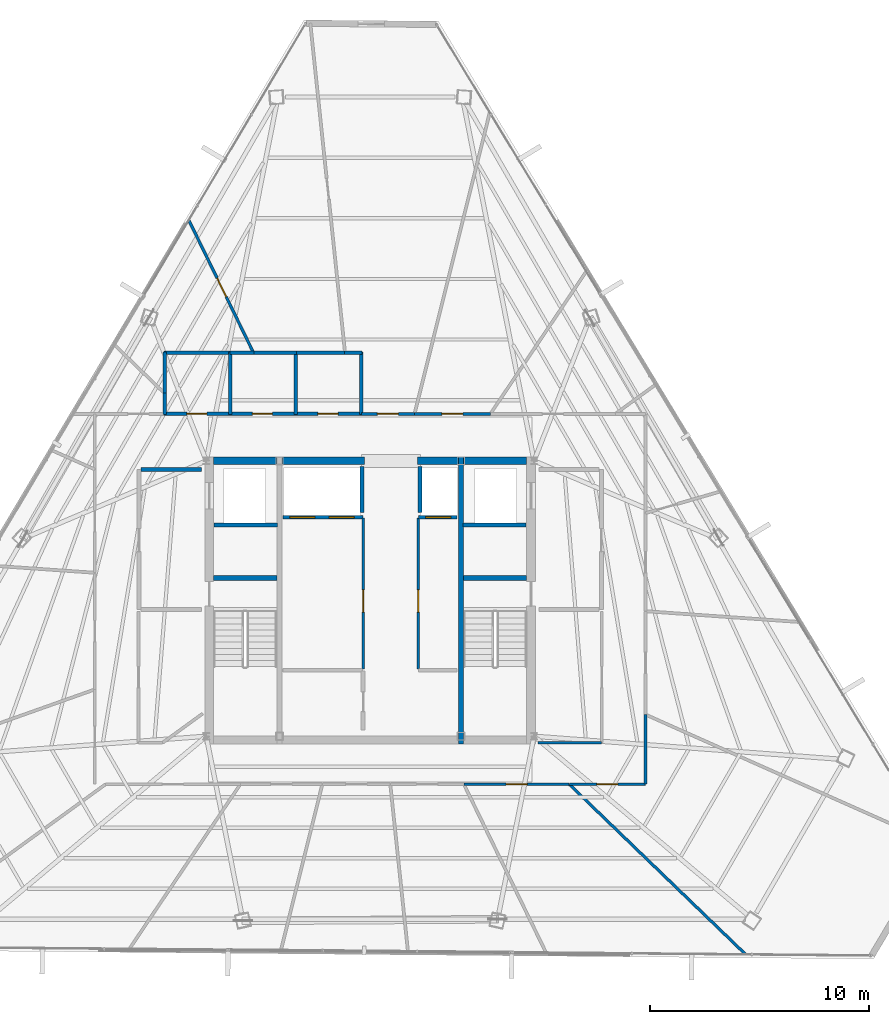
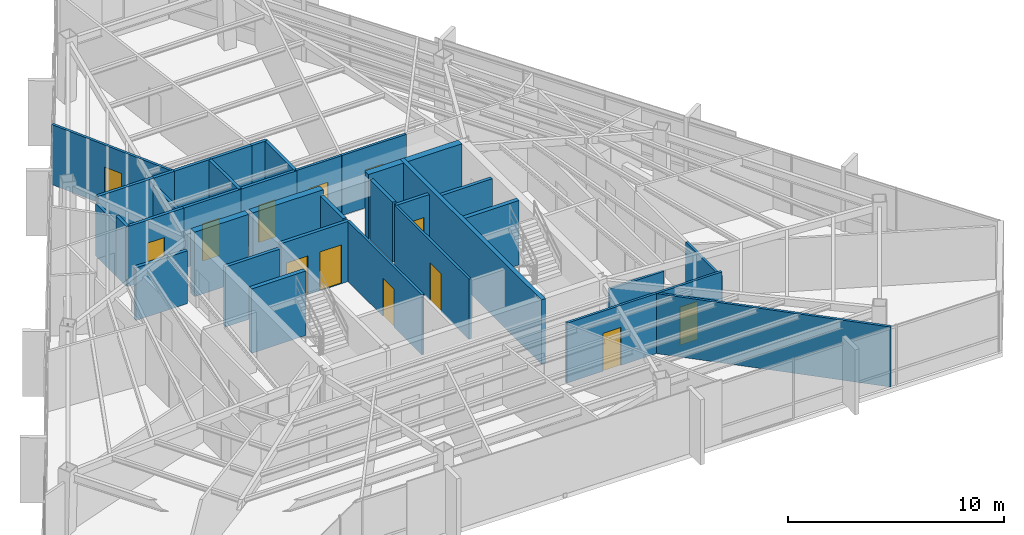
# One storey, part 42 of 46: 37 walls, 13 doors, 13 openings.
"""IFC4 building model written with IfcOpenShell, lengths in metres."""

from ifc_helpers import new_model, si_unit, direction, frame, frame_2d, origin, place, context, subcontext, project, spatial, rectangle, extrude, material, layer, layer_set, type_object, element, fill, save


model = new_model("IFC4")

# Units and contexts
model_context = context("Model", 3, precision=1e-05, world=origin(), true_north=direction((0.0, 1.0)))
body_context = subcontext(model_context, "Body", "Model", "MODEL_VIEW")
ifc_project = project(units=[si_unit("LENGTHUNIT", "METRE"), si_unit("AREAUNIT", "SQUARE_METRE"), si_unit("VOLUMEUNIT", "CUBIC_METRE"), si_unit("PLANEANGLEUNIT", "RADIAN"), si_unit("MASSUNIT", "GRAM", prefix="KILO")], contexts=[model_context])

# Site, building, storey
site_placement = place(None, origin())
site = spatial("IfcSite", under=ifc_project, at=site_placement, CompositionType="ELEMENT")
building_placement = place(site_placement, origin())
building = spatial("IfcBuilding", under=site, at=building_placement, Name="Caelisora Broadcast Tower", CompositionType="ELEMENT")
storey_placement = place(building_placement, frame((0.0, 0.0, 237.14990234375)))
storey = spatial("IfcBuildingStorey", under=building, at=storey_placement, Name="L62", CompositionType="ELEMENT", Elevation=237.14990234375)

# Walls
ifc_material_1 = material(Name="Concrete 40 MPa (AS 3600 N40)", Category="concrete")
ifc_layer_1 = layer(ifc_material_1, 0.35009765625, Name="Concrete 40 MPa (AS 3600 N40)")
ifc_layer_set_1 = layer_set([ifc_layer_1], Name="Concrete 40 MPa (AS 3600 N40)")
wall_type_1 = type_object("IfcWallType", Name="CW6", PredefinedType="SHEAR", material=ifc_layer_set_1)
wall_1_placement = place(storey_placement, frame((30.840087890625, 30.0, 0.0), z_axis=(0.0, 0.0, 1.0), x_axis=(1.0, 0.0, 0.0)))
element("IfcWall", 1, at=wall_1_placement, inside=storey, type_object=wall_type_1, Name="L62 core shear wall CW6", PredefinedType="SHEAR", context=body_context, shape_type="SweptSolid", body=[
    extrude(rectangle(XDim=2.89990234375, YDim=0.35009765625, at=frame_2d((1.449951171875, 0.0))), origin(), (0.0, 0.0, 1.0), 3.650146484375),
])
wall_2_placement = place(storey_placement, frame((33.9599609375, 30.0, 0.0), z_axis=(0.0, 0.0, 1.0), x_axis=(1.0, 0.0, 0.0)))
element("IfcWall", 2, at=wall_2_placement, inside=storey, type_object=wall_type_1, Name="L62 core shear wall CW6", PredefinedType="SHEAR", context=body_context, shape_type="SweptSolid", body=[
    extrude(rectangle(XDim=3.780029296875, YDim=0.35009765625, at=frame_2d((1.89013671875, 0.0))), origin(), (0.0, 0.0, 1.0), 3.650146484375),
])
wall_3_placement = place(storey_placement, frame((40.159912109375, 30.0, 0.0), z_axis=(0.0, 0.0, 1.0), x_axis=(1.0, 0.0, 0.0)))
element("IfcWall", 3, at=wall_3_placement, inside=storey, type_object=wall_type_1, Name="L62 core shear wall CW6", PredefinedType="SHEAR", context=body_context, shape_type="SweptSolid", body=[
    extrude(rectangle(XDim=1.880126953125, YDim=0.35009765625, at=frame_2d((0.93994140625, 0.0))), origin(), (0.0, 0.0, 1.0), 3.650146484375),
])
wall_4_placement = place(storey_placement, frame((42.260009765625, 30.0, 0.0), z_axis=(0.0, 0.0, 1.0), x_axis=(1.0, 0.0, 0.0)))
element("IfcWall", 4, at=wall_4_placement, inside=storey, type_object=wall_type_1, Name="L62 core shear wall CW6", PredefinedType="SHEAR", context=body_context, shape_type="SweptSolid", body=[
    extrude(rectangle(XDim=2.89990234375, YDim=0.35009765625, at=frame_2d((1.449951171875, 0.0))), origin(), (0.0, 0.0, 1.0), 3.650146484375),
])
ifc_material_2 = material(Name="Concrete 50 MPa (AS 3600 S50)", Category="concrete")
ifc_layer_2 = layer(ifc_material_2, 0.219970703125, Name="Concrete 50 MPa (AS 3600 S50)")
ifc_layer_set_2 = layer_set([ifc_layer_2], Name="Concrete 50 MPa (AS 3600 S50)")
wall_type_2 = type_object("IfcWallType", Name="CW7", PredefinedType="SHEAR", material=ifc_layer_set_2)
wall_5_placement = place(storey_placement, frame((42.14990234375, 17.050048828125, 0.0), z_axis=(0.0, 0.0, 1.0), x_axis=(0.0, 1.0, 0.0)))
element("IfcWall", 5, at=wall_5_placement, inside=storey, type_object=wall_type_2, Name="L62 core shear wall CW7", PredefinedType="SHEAR", context=body_context, shape_type="SweptSolid", body=[
    extrude(rectangle(XDim=13.125, YDim=0.219970703125, at=frame_2d((6.5625, 0.0))), origin(), (0.0, 0.0, 1.0), 3.650146484375),
])
for number, where, z_axis, x_axis, name in (
    (6, (30.840087890625, 24.639892578125, 0.0), (0.0, 0.0, 1.0), (1.0, 0.0, 0.0), "L62 core shear wall CW7"),
    (7, (42.260009765625, 24.639892578125, 0.0), (0.0, 0.0, 1.0), (1.0, 0.0, 0.0), "L62 core shear wall CW7"),
):
    element("IfcWall", number, at=place(storey_placement, frame(where, z_axis=z_axis, x_axis=x_axis)), inside=storey, type_object=wall_type_2, Name=name, PredefinedType="SHEAR", context=body_context, shape_type="SweptSolid", body=[
        extrude(rectangle(XDim=2.89990234375, YDim=0.219970703125, at=frame_2d((1.449951171875, 0.0))), origin(), (0.0, 0.0, 1.0), 3.650146484375),
    ])

# Wall, openings, doors
ifc_material_3 = material(Name="Fire-Rated Gypsum Shaft and Compartment Wall", Category="gypsum")
ifc_layer_3 = layer(ifc_material_3, 0.179931640625, Name="Fire-Rated Gypsum Shaft and Compartment Wall")
ifc_layer_set_3 = layer_set([ifc_layer_3], Name="Fire-Rated Gypsum Shaft and Compartment Wall")
wall_type_3 = type_object("IfcWallType", Name="PW2", PredefinedType="PARTITIONING", material=ifc_layer_set_3)
wall_6_placement = place(storey_placement, frame((34.02001953125, 27.419921875, 0.0), z_axis=(0.0, 0.0, 1.0), x_axis=(1.0, 0.0, 0.0)))
wall_6 = element("IfcWall", 8, at=wall_6_placement, inside=storey, type_object=wall_type_3, Name="L62 fire compartment wall PW2", PredefinedType="PARTITIONING", context=body_context, shape_type="SweptSolid", body=[
    extrude(rectangle(XDim=3.659912109375, YDim=0.179931640625, at=frame_2d((1.830078125, 0.0))), origin(), (0.0, 0.0, 1.0), 3.400146484375),
])
opening_1_placement = place(wall_6_placement, frame((0.300048828125, 0.0, 0.0)))
opening_1 = element("IfcOpeningElement", 9, at=opening_1_placement, cuts=wall_6, Name="Opening LD02", PredefinedType="OPENING", context=body_context, shape_type="SweptSolid", body=[
    extrude(rectangle(XDim=1.14990234375, YDim=2.199951171875, at=frame_2d((0.574951171875, 1.10009765625))), frame((0.0, 0.10205078125, 0.0), z_axis=(0.0, -1.0, 0.0), x_axis=(1.0, 0.0, 0.0)), (0.0, 0.0, 1.0), 0.203857421875),
])
opening_2_placement = place(wall_6_placement, frame((2.10009765625, 0.0, 0.0)))
opening_2 = element("IfcOpeningElement", 10, at=opening_2_placement, cuts=wall_6, Name="Opening LD02", PredefinedType="OPENING", context=body_context, shape_type="SweptSolid", body=[
    extrude(rectangle(XDim=1.14990234375, YDim=2.199951171875, at=frame_2d((0.574951171875, 1.10009765625))), frame((0.0, 0.10205078125, 0.0), z_axis=(0.0, -1.0, 0.0), x_axis=(1.0, 0.0, 0.0)), (0.0, 0.0, 1.0), 0.203857421875),
])
ifc_material_4 = material(Name="High-Speed Express Lift Sliding Landing Door", Category="steel")
door_type_1 = type_object("IfcDoorType", Name="LD02", OperationType="NOTDEFINED", PredefinedType="DOOR", material=ifc_material_4)
door_1_placement = place(opening_1_placement, origin())
door_1 = element("IfcDoor", 11, at=door_1_placement, inside=storey, type_object=door_type_1, Name="L62 door LD02 (L62-LD-PLH1)", OperationType="SLIDING_TO_RIGHT", OverallHeight=2.199951171875, OverallWidth=1.14990234375, PredefinedType="DOOR", context=body_context, shape_type="SweptSolid", body=[
    extrude(rectangle(XDim=1.14990234375, YDim=2.199951171875, at=frame_2d((0.574951171875, 1.10009765625))), frame((0.0, 0.02490234375, 0.0), z_axis=(0.0, -1.0, 0.0), x_axis=(1.0, 0.0, 0.0)), (0.0, 0.0, 1.0), 0.050048828125),
])
fill(opening_1, door_1)
door_2_placement = place(opening_2_placement, origin())
door_2 = element("IfcDoor", 12, at=door_2_placement, inside=storey, type_object=door_type_1, Name="L62 door LD02 (L62-LD-PLH2)", OperationType="SLIDING_TO_LEFT", OverallHeight=2.199951171875, OverallWidth=1.14990234375, PredefinedType="DOOR", context=body_context, shape_type="SweptSolid", body=[
    extrude(rectangle(XDim=1.14990234375, YDim=2.199951171875, at=frame_2d((0.574951171875, 1.10009765625))), frame((0.0, 0.02490234375, 0.0), z_axis=(0.0, -1.0, 0.0), x_axis=(1.0, 0.0, 0.0)), (0.0, 0.0, 1.0), 0.050048828125),
])
fill(opening_2, door_2)

# Wall, opening, door
wall_7_placement = place(storey_placement, frame((40.219970703125, 27.419921875, 0.0), z_axis=(0.0, 0.0, 1.0), x_axis=(1.0, 0.0, 0.0)))
wall_7 = element("IfcWall", 13, at=wall_7_placement, inside=storey, type_object=wall_type_3, Name="L62 fire compartment wall PW2", PredefinedType="PARTITIONING", context=body_context, shape_type="SweptSolid", body=[
    extrude(rectangle(XDim=1.760009765625, YDim=0.179931640625, at=frame_2d((0.8798828125, 0.0))), origin(), (0.0, 0.0, 1.0), 3.400146484375),
])
opening_3_placement = place(wall_7_placement, frame((0.320068359375, 0.0, 0.0)))
opening_3 = element("IfcOpeningElement", 14, at=opening_3_placement, cuts=wall_7, Name="Opening LD02", PredefinedType="OPENING", context=body_context, shape_type="SweptSolid", body=[
    extrude(rectangle(XDim=1.14990234375, YDim=2.199951171875, at=frame_2d((0.574951171875, 1.10009765625))), frame((0.0, 0.10205078125, 0.0), z_axis=(0.0, -1.0, 0.0), x_axis=(1.0, 0.0, 0.0)), (0.0, 0.0, 1.0), 0.203857421875),
])
door_3_placement = place(opening_3_placement, origin())
door_3 = element("IfcDoor", 15, at=door_3_placement, inside=storey, type_object=door_type_1, Name="L62 door LD02 (L62-LD-PLH3)", OperationType="SLIDING_TO_RIGHT", OverallHeight=2.199951171875, OverallWidth=1.14990234375, PredefinedType="DOOR", context=body_context, shape_type="SweptSolid", body=[
    extrude(rectangle(XDim=1.14990234375, YDim=2.199951171875, at=frame_2d((0.574951171875, 1.10009765625))), frame((0.0, 0.02490234375, 0.0), z_axis=(0.0, -1.0, 0.0), x_axis=(1.0, 0.0, 0.0)), (0.0, 0.0, 1.0), 0.050048828125),
])
fill(opening_3, door_3)

# Walls
for number, where, z_axis, x_axis, name in (
    (16, (37.6201171875, 27.639892578125, 0.0), (0.0, 0.0, 1.0), (0.0, 1.0, 0.0), "L62 fire compartment wall PW2"),
    (17, (40.280029296875, 27.639892578125, 0.0), (0.0, 0.0, 1.0), (0.0, 1.0, 0.0), "L62 fire compartment wall PW2"),
):
    element("IfcWall", number, at=place(storey_placement, frame(where, z_axis=z_axis, x_axis=x_axis)), inside=storey, type_object=wall_type_3, Name=name, PredefinedType="PARTITIONING", context=body_context, shape_type="SweptSolid", body=[
        extrude(rectangle(XDim=2.110107421875, YDim=0.179931640625, at=frame_2d((1.05517578125, 0.0))), origin(), (0.0, 0.0, 1.0), 3.400146484375),
    ])
wall_8_placement = place(storey_placement, frame((27.52001953125, 29.60009765625, 0.0), z_axis=(0.0, 0.0, 1.0), x_axis=(1.0, 0.0, 0.0)))
element("IfcWall", 18, at=wall_8_placement, inside=storey, type_object=wall_type_3, Name="L62 fire compartment wall PW2", PredefinedType="PARTITIONING", context=body_context, shape_type="SweptSolid", body=[
    extrude(rectangle(XDim=2.760009765625, YDim=0.179931640625, at=frame_2d((1.3798828125, 0.0))), origin(), (0.0, 0.0, 1.0), 2.985107421875),
])
for number, where, z_axis, x_axis, name in (
    (19, (30.860107421875, 27.070068359375, 0.0), (0.0, 0.0, 1.0), (1.0, 0.0, 0.0), "L62 fire compartment wall PW2"),
    (20, (42.239990234375, 27.070068359375, 0.0), (0.0, 0.0, 1.0), (1.0, 0.0, 0.0), "L62 fire compartment wall PW2"),
):
    element("IfcWall", number, at=place(storey_placement, frame(where, z_axis=z_axis, x_axis=x_axis)), inside=storey, type_object=wall_type_3, Name=name, PredefinedType="PARTITIONING", context=body_context, shape_type="SweptSolid", body=[
        extrude(rectangle(XDim=2.89990234375, YDim=0.179931640625, at=frame_2d((1.449951171875, 0.0))), origin(), (0.0, 0.0, 1.0), 3.400146484375),
    ])

# Wall, opening, door
ifc_material_5 = material(Name="Acoustic Steel-Stud Plasterboard Partition", Category="gypsum")
ifc_layer_4 = layer(ifc_material_5, 0.1298828125, Name="Acoustic Steel-Stud Plasterboard Partition")
ifc_layer_set_4 = layer_set([ifc_layer_4], Name="Acoustic Steel-Stud Plasterboard Partition")
wall_type_4 = type_object("IfcWallType", Name="PW3", PredefinedType="PARTITIONING", material=ifc_layer_set_4)
wall_9_placement = place(storey_placement, frame((37.679931640625, 20.47998046875, 0.0), z_axis=(0.0, 0.0, 1.0), x_axis=(0.0, 1.0, 0.0)))
wall_9 = element("IfcWall", 21, at=wall_9_placement, inside=storey, type_object=wall_type_4, Name="L62 internal partition PW3", PredefinedType="PARTITIONING", context=body_context, shape_type="SweptSolid", body=[
    extrude(rectangle(XDim=6.89990234375, YDim=0.1298828125, at=frame_2d((3.449951171875, 0.0))), origin(), (0.0, 0.0, 1.0), 3.400146484375),
])
opening_4_placement = place(wall_9_placement, frame((2.60009765625, 0.0, 0.0)))
opening_4 = element("IfcOpeningElement", 22, at=opening_4_placement, cuts=wall_9, Name="Opening D02", PredefinedType="OPENING", context=body_context, shape_type="SweptSolid", body=[
    extrude(rectangle(XDim=1.02001953125, YDim=2.14990234375, at=frame_2d((0.510009765625, 1.074951171875))), frame((0.0, 0.076904296875, 0.0), z_axis=(0.0, -1.0, 0.0), x_axis=(1.0, 0.0, 0.0)), (0.0, 0.0, 1.0), 0.15380859375),
])
ifc_material_6 = material(Name="Solid-Core Timber Archive Suite Door", Category="wood")
door_type_2 = type_object("IfcDoorType", Name="D02", OperationType="NOTDEFINED", PredefinedType="DOOR", material=ifc_material_6)
door_4_placement = place(opening_4_placement, origin())
door_4 = element("IfcDoor", 23, at=door_4_placement, inside=storey, type_object=door_type_2, Name="L62 door D02 (L62-DR-P11D1)", OperationType="SINGLE_SWING_RIGHT", OverallHeight=2.14990234375, OverallWidth=1.02001953125, PredefinedType="DOOR", context=body_context, shape_type="SweptSolid", body=[
    extrude(rectangle(XDim=1.02001953125, YDim=2.14990234375, at=frame_2d((0.510009765625, 1.074951171875))), frame((0.0, 0.02490234375, 0.0), z_axis=(0.0, -1.0, 0.0), x_axis=(1.0, 0.0, 0.0)), (0.0, 0.0, 1.0), 0.050048828125),
])
fill(opening_4, door_4)

wall_10_placement = place(storey_placement, frame((40.199951171875, 20.47998046875, 0.0), z_axis=(0.0, 0.0, 1.0), x_axis=(0.0, 1.0, 0.0)))
wall_10 = element("IfcWall", 24, at=wall_10_placement, inside=storey, type_object=wall_type_4, Name="L62 internal partition PW3", PredefinedType="PARTITIONING", context=body_context, shape_type="SweptSolid", body=[
    extrude(rectangle(XDim=6.89990234375, YDim=0.1298828125, at=frame_2d((3.449951171875, 0.0))), origin(), (0.0, 0.0, 1.0), 3.400146484375),
])
opening_5_placement = place(wall_10_placement, frame((2.60009765625, 0.0, 0.0)))
opening_5 = element("IfcOpeningElement", 25, at=opening_5_placement, cuts=wall_10, Name="Opening D02", PredefinedType="OPENING", context=body_context, shape_type="SweptSolid", body=[
    extrude(rectangle(XDim=1.02001953125, YDim=2.14990234375, at=frame_2d((0.510009765625, 1.074951171875))), frame((0.0, 0.076904296875, 0.0), z_axis=(0.0, -1.0, 0.0), x_axis=(1.0, 0.0, 0.0)), (0.0, 0.0, 1.0), 0.15380859375),
])
door_5_placement = place(opening_5_placement, origin())
door_5 = element("IfcDoor", 26, at=door_5_placement, inside=storey, type_object=door_type_2, Name="L62 door D02 (L62-DR-P12D1)", OperationType="SINGLE_SWING_LEFT", OverallHeight=2.14990234375, OverallWidth=1.02001953125, PredefinedType="DOOR", context=body_context, shape_type="SweptSolid", body=[
    extrude(rectangle(XDim=1.02001953125, YDim=2.14990234375, at=frame_2d((0.510009765625, 1.074951171875))), frame((0.0, 0.02490234375, 0.0), z_axis=(0.0, -1.0, 0.0), x_axis=(1.0, 0.0, 0.0)), (0.0, 0.0, 1.0), 0.050048828125),
])
fill(opening_5, door_5)

# Wall
wall_11_placement = place(storey_placement, frame((47.114013671875, 15.197021484375, 0.0), z_axis=(0.0, 0.0, 1.0), x_axis=(0.719715043967, -0.694269584159, 0.0)))
element("IfcWall", 27, at=wall_11_placement, inside=storey, type_object=wall_type_4, Name="L62 internal partition PW3", PredefinedType="PARTITIONING", context=body_context, shape_type="SweptSolid", body=[
    extrude(rectangle(XDim=11.225830078125, YDim=0.1298828125, at=frame_2d((5.61279296875, 0.0))), origin(), (0.0, 0.0, 1.0), 3.400146484375),
])

# Wall, opening, door
wall_12_placement = place(storey_placement, frame((29.69970703125, 41.01806640625, 0.0), z_axis=(0.0, 0.0, 1.0), x_axis=(0.438450009627, -0.89875557804, 0.0)))
wall_12 = element("IfcWall", 28, at=wall_12_placement, inside=storey, type_object=wall_type_4, Name="L62 internal partition PW3", PredefinedType="PARTITIONING", context=body_context, shape_type="SweptSolid", body=[
    extrude(rectangle(XDim=6.7470703125, YDim=0.1298828125, at=frame_2d((3.37353515625, 0.0))), origin(), (0.0, 0.0, 1.0), 3.400146484375),
])
opening_6_placement = place(wall_12_placement, frame((2.949951171875, 0.0, 0.0)))
opening_6 = element("IfcOpeningElement", 29, at=opening_6_placement, cuts=wall_12, Name="Opening D01", PredefinedType="OPENING", context=body_context, shape_type="SweptSolid", body=[
    extrude(rectangle(XDim=0.9599609375, YDim=2.14990234375, at=frame_2d((0.47998046875, 1.074951171875))), frame((0.0, 0.076904296875, 0.0), z_axis=(0.0, -1.0, 0.0), x_axis=(1.0, 0.0, 0.0)), (0.0, 0.0, 1.0), 0.15380859375),
])
ifc_material_7 = material(Name="Solid-Core Timber Acoustic Office Door", Category="wood")
door_type_3 = type_object("IfcDoorType", Name="D01", OperationType="NOTDEFINED", PredefinedType="DOOR", material=ifc_material_7)
door_6_placement = place(opening_6_placement, origin())
door_6 = element("IfcDoor", 30, at=door_6_placement, inside=storey, type_object=door_type_3, Name="L62 door D01 (L62-DR-P41D1)", OperationType="SINGLE_SWING_LEFT", OverallHeight=2.14990234375, OverallWidth=0.9599609375, PredefinedType="DOOR", context=body_context, shape_type="SweptSolid", body=[
    extrude(rectangle(XDim=0.9599609375, YDim=2.14990234375, at=frame_2d((0.47998046875, 1.074951171875))), frame((0.0, 0.02490234375, 0.0), z_axis=(0.0, -1.0, 0.0), x_axis=(1.0, 0.0, 0.0)), (0.0, 0.0, 1.0), 0.050048828125),
])
fill(opening_6, door_6)

wall_13_placement = place(storey_placement, frame((42.294921875, 15.199951171875, 0.0), z_axis=(0.0, 0.0, 1.0), x_axis=(1.0, 0.0, 0.0)))
wall_13 = element("IfcWall", 31, at=wall_13_placement, inside=storey, type_object=wall_type_4, Name="L62 internal partition PW3", PredefinedType="PARTITIONING", context=body_context, shape_type="SweptSolid", body=[
    extrude(rectangle(XDim=4.81005859375, YDim=0.1298828125, at=frame_2d((2.405029296875, 0.0))), origin(), (0.0, 0.0, 1.0), 3.400146484375),
])
opening_7_placement = place(wall_13_placement, frame((1.925048828125, 0.0, 0.0)))
opening_7 = element("IfcOpeningElement", 32, at=opening_7_placement, cuts=wall_13, Name="Opening D01", PredefinedType="OPENING", context=body_context, shape_type="SweptSolid", body=[
    extrude(rectangle(XDim=0.9599609375, YDim=2.14990234375, at=frame_2d((0.47998046875, 1.074951171875))), frame((0.0, 0.076904296875, 0.0), z_axis=(0.0, -1.0, 0.0), x_axis=(1.0, 0.0, 0.0)), (0.0, 0.0, 1.0), 0.15380859375),
])
door_7_placement = place(opening_7_placement, origin())
door_7 = element("IfcDoor", 33, at=door_7_placement, inside=storey, type_object=door_type_3, Name="L62 door D01 (L62-DR-P48D1)", OperationType="SINGLE_SWING_LEFT", OverallHeight=2.14990234375, OverallWidth=0.9599609375, PredefinedType="DOOR", context=body_context, shape_type="SweptSolid", body=[
    extrude(rectangle(XDim=0.9599609375, YDim=2.14990234375, at=frame_2d((0.47998046875, 1.074951171875))), frame((0.0, 0.02490234375, 0.0), z_axis=(0.0, -1.0, 0.0), x_axis=(1.0, 0.0, 0.0)), (0.0, 0.0, 1.0), 0.050048828125),
])
fill(opening_7, door_7)

wall_14_placement = place(storey_placement, frame((47.114990234375, 15.199951171875, 0.0), z_axis=(0.0, 0.0, 1.0), x_axis=(1.0, 0.0, 0.0)))
wall_14 = element("IfcWall", 34, at=wall_14_placement, inside=storey, type_object=wall_type_4, Name="L62 internal partition PW3", PredefinedType="PARTITIONING", context=body_context, shape_type="SweptSolid", body=[
    extrude(rectangle(XDim=3.47998046875, YDim=0.1298828125, at=frame_2d((1.739990234375, 0.0))), origin(), (0.0, 0.0, 1.0), 3.400146484375),
])
opening_8_placement = place(wall_14_placement, frame((1.260009765625, 0.0, 0.0)))
opening_8 = element("IfcOpeningElement", 35, at=opening_8_placement, cuts=wall_14, Name="Opening D01", PredefinedType="OPENING", context=body_context, shape_type="SweptSolid", body=[
    extrude(rectangle(XDim=0.9599609375, YDim=2.14990234375, at=frame_2d((0.47998046875, 1.074951171875))), frame((0.0, 0.076904296875, 0.0), z_axis=(0.0, -1.0, 0.0), x_axis=(1.0, 0.0, 0.0)), (0.0, 0.0, 1.0), 0.15380859375),
])
door_8_placement = place(opening_8_placement, origin())
door_8 = element("IfcDoor", 36, at=door_8_placement, inside=storey, type_object=door_type_3, Name="L62 door D01 (L62-DR-P56D1)", OperationType="SINGLE_SWING_RIGHT", OverallHeight=2.14990234375, OverallWidth=0.9599609375, PredefinedType="DOOR", context=body_context, shape_type="SweptSolid", body=[
    extrude(rectangle(XDim=0.9599609375, YDim=2.14990234375, at=frame_2d((0.47998046875, 1.074951171875))), frame((0.0, 0.02490234375, 0.0), z_axis=(0.0, -1.0, 0.0), x_axis=(1.0, 0.0, 0.0)), (0.0, 0.0, 1.0), 0.050048828125),
])
fill(opening_8, door_8)

wall_15_placement = place(storey_placement, frame((40.034912109375, 32.14990234375, 0.0), z_axis=(0.0, 0.0, 1.0), x_axis=(1.0, 0.0, 0.0)))
wall_15 = element("IfcWall", 37, at=wall_15_placement, inside=storey, type_object=wall_type_4, Name="L62 internal partition PW3", PredefinedType="PARTITIONING", context=body_context, shape_type="SweptSolid", body=[
    extrude(rectangle(XDim=3.460205078125, YDim=0.1298828125, at=frame_2d((1.72998046875, 0.0))), origin(), (0.0, 0.0, 1.0), 3.400146484375),
])
opening_9_placement = place(wall_15_placement, frame((1.25, 0.0, 0.0)))
opening_9 = element("IfcOpeningElement", 38, at=opening_9_placement, cuts=wall_15, Name="Opening D01", PredefinedType="OPENING", context=body_context, shape_type="SweptSolid", body=[
    extrude(rectangle(XDim=0.9599609375, YDim=2.14990234375, at=frame_2d((0.47998046875, 1.074951171875))), frame((0.0, 0.076904296875, 0.0), z_axis=(0.0, -1.0, 0.0), x_axis=(1.0, 0.0, 0.0)), (0.0, 0.0, 1.0), 0.15380859375),
])
door_9_placement = place(opening_9_placement, origin())
door_9 = element("IfcDoor", 39, at=door_9_placement, inside=storey, type_object=door_type_3, Name="L62 door D01 (L62-DR-P57D1)", OperationType="SINGLE_SWING_LEFT", OverallHeight=2.14990234375, OverallWidth=0.9599609375, PredefinedType="DOOR", context=body_context, shape_type="SweptSolid", body=[
    extrude(rectangle(XDim=0.9599609375, YDim=2.14990234375, at=frame_2d((0.47998046875, 1.074951171875))), frame((0.0, 0.02490234375, 0.0), z_axis=(0.0, -1.0, 0.0), x_axis=(1.0, 0.0, 0.0)), (0.0, 0.0, 1.0), 0.050048828125),
])
fill(opening_9, door_9)

# Walls
wall_16_placement = place(storey_placement, frame((50.60009765625, 15.205078125, 0.0), z_axis=(0.0, 0.0, 1.0), x_axis=(0.0, 1.0, 0.0)))
element("IfcWall", 40, at=wall_16_placement, inside=storey, type_object=wall_type_4, Name="L62 internal partition PW3", PredefinedType="PARTITIONING", context=body_context, shape_type="SweptSolid", body=[
    extrude(rectangle(XDim=3.179931640625, YDim=0.1298828125, at=frame_2d((1.58984375, 0.0))), origin(), (0.0, 0.0, 1.0), 3.12890625),
])
wall_17_placement = place(storey_placement, frame((45.675048828125, 17.10009765625, 0.0), z_axis=(0.0, 0.0, 1.0), x_axis=(1.0, 0.0, 0.0)))
element("IfcWall", 41, at=wall_17_placement, inside=storey, type_object=wall_type_4, Name="L62 internal partition PW3", PredefinedType="PARTITIONING", context=body_context, shape_type="SweptSolid", body=[
    extrude(rectangle(XDim=2.919921875, YDim=0.1298828125, at=frame_2d((1.4599609375, 0.0))), origin(), (0.0, 0.0, 1.0), 2.985107421875),
])

# Wall, opening, door
wall_18_placement = place(storey_placement, frame((37.60498046875, 32.14990234375, 0.0), z_axis=(0.0, 0.0, 1.0), x_axis=(1.0, 0.0, 0.0)))
wall_18 = element("IfcWall", 42, at=wall_18_placement, inside=storey, type_object=wall_type_4, Name="L62 internal partition PW3", PredefinedType="PARTITIONING", context=body_context, shape_type="SweptSolid", body=[
    extrude(rectangle(XDim=2.419921875, YDim=0.1298828125, at=frame_2d((1.2099609375, 0.0))), origin(), (0.0, 0.0, 1.0), 3.400146484375),
])
opening_10_placement = place(wall_18_placement, frame((0.72998046875, 0.0, 0.0)))
opening_10 = element("IfcOpeningElement", 43, at=opening_10_placement, cuts=wall_18, Name="Opening D01", PredefinedType="OPENING", context=body_context, shape_type="SweptSolid", body=[
    extrude(rectangle(XDim=0.9599609375, YDim=2.14990234375, at=frame_2d((0.47998046875, 1.074951171875))), frame((0.0, 0.076904296875, 0.0), z_axis=(0.0, -1.0, 0.0), x_axis=(1.0, 0.0, 0.0)), (0.0, 0.0, 1.0), 0.15380859375),
])
door_10_placement = place(opening_10_placement, origin())
door_10 = element("IfcDoor", 44, at=door_10_placement, inside=storey, type_object=door_type_3, Name="L62 door D01 (L62-DR-P65D1)", OperationType="SINGLE_SWING_LEFT", OverallHeight=2.14990234375, OverallWidth=0.9599609375, PredefinedType="DOOR", context=body_context, shape_type="SweptSolid", body=[
    extrude(rectangle(XDim=0.9599609375, YDim=2.14990234375, at=frame_2d((0.47998046875, 1.074951171875))), frame((0.0, 0.02490234375, 0.0), z_axis=(0.0, -1.0, 0.0), x_axis=(1.0, 0.0, 0.0)), (0.0, 0.0, 1.0), 0.050048828125),
])
fill(opening_10, door_10)

ifc_material_8 = material(Name="Moisture-Resistant Wet Plumbing Service Wall", Category="gypsum")
ifc_layer_5 = layer(ifc_material_8, 0.159912109375, Name="Moisture-Resistant Wet Plumbing Service Wall")
ifc_layer_set_5 = layer_set([ifc_layer_5], Name="Moisture-Resistant Wet Plumbing Service Wall")
wall_type_5 = type_object("IfcWallType", Name="PW4", PredefinedType="PLUMBINGWALL", material=ifc_layer_set_5)
wall_19_placement = place(storey_placement, frame((28.574951171875, 32.14990234375, 0.0), z_axis=(0.0, 0.0, 1.0), x_axis=(1.0, 0.0, 0.0)))
wall_19 = element("IfcWall", 45, at=wall_19_placement, inside=storey, type_object=wall_type_5, Name="L62 wet plumbing wall PW4", PredefinedType="PLUMBINGWALL", context=body_context, shape_type="SweptSolid", body=[
    extrude(rectangle(XDim=3.050048828125, YDim=0.159912109375, at=frame_2d((1.52490234375, 0.0))), origin(), (0.0, 0.0, 1.0), 3.400146484375),
])
opening_11_placement = place(wall_19_placement, frame((1.034912109375, 0.0, 0.0)))
opening_11 = element("IfcOpeningElement", 46, at=opening_11_placement, cuts=wall_19, Name="Opening D03", PredefinedType="OPENING", context=body_context, shape_type="SweptSolid", body=[
    extrude(rectangle(XDim=0.919921875, YDim=2.10009765625, at=frame_2d((0.4599609375, 1.050048828125))), frame((0.0, 0.092041015625, 0.0), z_axis=(0.0, -1.0, 0.0), x_axis=(1.0, 0.0, 0.0)), (0.0, 0.0, 1.0), 0.183837890625),
])
ifc_material_9 = material(Name="Laminate Moisture-Resistant Amenity WC Door", Category="wood")
door_type_4 = type_object("IfcDoorType", Name="D03", OperationType="NOTDEFINED", PredefinedType="DOOR", material=ifc_material_9)
door_11_placement = place(opening_11_placement, origin())
door_11 = element("IfcDoor", 47, at=door_11_placement, inside=storey, type_object=door_type_4, Name="L62 door D03 (L62-DR-P14D1)", OperationType="SINGLE_SWING_LEFT", OverallHeight=2.10009765625, OverallWidth=0.919921875, PredefinedType="DOOR", context=body_context, shape_type="SweptSolid", body=[
    extrude(rectangle(XDim=0.919921875, YDim=2.10009765625, at=frame_2d((0.4599609375, 1.050048828125))), frame((0.0, 0.02490234375, 0.0), z_axis=(0.0, -1.0, 0.0), x_axis=(1.0, 0.0, 0.0)), (0.0, 0.0, 1.0), 0.050048828125),
])
fill(opening_11, door_11)

wall_20_placement = place(storey_placement, frame((31.574951171875, 32.14990234375, 0.0), z_axis=(0.0, 0.0, 1.0), x_axis=(1.0, 0.0, 0.0)))
wall_20 = element("IfcWall", 48, at=wall_20_placement, inside=storey, type_object=wall_type_5, Name="L62 wet plumbing wall PW4", PredefinedType="PLUMBINGWALL", context=body_context, shape_type="SweptSolid", body=[
    extrude(rectangle(XDim=3.050048828125, YDim=0.159912109375, at=frame_2d((1.52490234375, 0.0))), origin(), (0.0, 0.0, 1.0), 3.400146484375),
])
opening_12_placement = place(wall_20_placement, frame((1.034912109375, 0.0, 0.0)))
opening_12 = element("IfcOpeningElement", 49, at=opening_12_placement, cuts=wall_20, Name="Opening D03", PredefinedType="OPENING", context=body_context, shape_type="SweptSolid", body=[
    extrude(rectangle(XDim=0.919921875, YDim=2.10009765625, at=frame_2d((0.4599609375, 1.050048828125))), frame((0.0, 0.092041015625, 0.0), z_axis=(0.0, -1.0, 0.0), x_axis=(1.0, 0.0, 0.0)), (0.0, 0.0, 1.0), 0.183837890625),
])
door_12_placement = place(opening_12_placement, origin())
door_12 = element("IfcDoor", 50, at=door_12_placement, inside=storey, type_object=door_type_4, Name="L62 door D03 (L62-DR-P15D1)", OperationType="SINGLE_SWING_RIGHT", OverallHeight=2.10009765625, OverallWidth=0.919921875, PredefinedType="DOOR", context=body_context, shape_type="SweptSolid", body=[
    extrude(rectangle(XDim=0.919921875, YDim=2.10009765625, at=frame_2d((0.4599609375, 1.050048828125))), frame((0.0, 0.02490234375, 0.0), z_axis=(0.0, -1.0, 0.0), x_axis=(1.0, 0.0, 0.0)), (0.0, 0.0, 1.0), 0.050048828125),
])
fill(opening_12, door_12)

wall_21_placement = place(storey_placement, frame((34.574951171875, 32.14990234375, 0.0), z_axis=(0.0, 0.0, 1.0), x_axis=(1.0, 0.0, 0.0)))
wall_21 = element("IfcWall", 51, at=wall_21_placement, inside=storey, type_object=wall_type_5, Name="L62 wet plumbing wall PW4", PredefinedType="PLUMBINGWALL", context=body_context, shape_type="SweptSolid", body=[
    extrude(rectangle(XDim=3.050048828125, YDim=0.159912109375, at=frame_2d((1.52490234375, 0.0))), origin(), (0.0, 0.0, 1.0), 3.400146484375),
])
opening_13_placement = place(wall_21_placement, frame((1.034912109375, 0.0, 0.0)))
opening_13 = element("IfcOpeningElement", 52, at=opening_13_placement, cuts=wall_21, Name="Opening D03", PredefinedType="OPENING", context=body_context, shape_type="SweptSolid", body=[
    extrude(rectangle(XDim=0.919921875, YDim=2.10009765625, at=frame_2d((0.4599609375, 1.050048828125))), frame((0.0, 0.092041015625, 0.0), z_axis=(0.0, -1.0, 0.0), x_axis=(1.0, 0.0, 0.0)), (0.0, 0.0, 1.0), 0.183837890625),
])
door_13_placement = place(opening_13_placement, origin())
door_13 = element("IfcDoor", 53, at=door_13_placement, inside=storey, type_object=door_type_4, Name="L62 door D03 (L62-DR-P16D1)", OperationType="SINGLE_SWING_LEFT", OverallHeight=2.10009765625, OverallWidth=0.919921875, PredefinedType="DOOR", context=body_context, shape_type="SweptSolid", body=[
    extrude(rectangle(XDim=0.919921875, YDim=2.10009765625, at=frame_2d((0.4599609375, 1.050048828125))), frame((0.0, 0.02490234375, 0.0), z_axis=(0.0, -1.0, 0.0), x_axis=(1.0, 0.0, 0.0)), (0.0, 0.0, 1.0), 0.050048828125),
])
fill(opening_13, door_13)

# Walls
wall_22_placement = place(storey_placement, frame((28.574951171875, 34.949951171875, 0.0), z_axis=(0.0, 0.0, 1.0), x_axis=(1.0, 0.0, 0.0)))
element("IfcWall", 54, at=wall_22_placement, inside=storey, type_object=wall_type_5, Name="L62 wet plumbing wall PW4", PredefinedType="PLUMBINGWALL", context=body_context, shape_type="SweptSolid", body=[
    extrude(rectangle(XDim=3.050048828125, YDim=0.159912109375, at=frame_2d((1.52490234375, 0.0))), origin(), (0.0, 0.0, 1.0), 3.400146484375),
])
wall_23_placement = place(storey_placement, frame((31.60009765625, 32.125, 0.0), z_axis=(0.0, 0.0, 1.0), x_axis=(0.0, 1.0, 0.0)))
element("IfcWall", 55, at=wall_23_placement, inside=storey, type_object=wall_type_5, Name="L62 wet plumbing wall PW4", PredefinedType="PLUMBINGWALL", context=body_context, shape_type="SweptSolid", body=[
    extrude(rectangle(XDim=2.85009765625, YDim=0.159912109375, at=frame_2d((1.425048828125, 0.0))), origin(), (0.0, 0.0, 1.0), 2.985107421875),
])
for number, where, z_axis, x_axis, name in (
    (56, (34.60009765625, 32.125, 0.0), (0.0, 0.0, 1.0), (0.0, 1.0, 0.0), "L62 wet plumbing wall PW4"),
    (57, (37.60009765625, 32.125, 0.0), (0.0, 0.0, 1.0), (0.0, 1.0, 0.0), "L62 wet plumbing wall PW4"),
):
    element("IfcWall", number, at=place(storey_placement, frame(where, z_axis=z_axis, x_axis=x_axis)), inside=storey, type_object=wall_type_5, Name=name, PredefinedType="PLUMBINGWALL", context=body_context, shape_type="SweptSolid", body=[
        extrude(rectangle(XDim=2.85009765625, YDim=0.159912109375, at=frame_2d((1.425048828125, 0.0))), origin(), (0.0, 0.0, 1.0), 3.400146484375),
    ])
wall_24_placement = place(storey_placement, frame((34.574951171875, 34.949951171875, 0.0), z_axis=(0.0, 0.0, 1.0), x_axis=(1.0, 0.0, 0.0)))
element("IfcWall", 58, at=wall_24_placement, inside=storey, type_object=wall_type_5, Name="L62 wet plumbing wall PW4", PredefinedType="PLUMBINGWALL", context=body_context, shape_type="SweptSolid", body=[
    extrude(rectangle(XDim=2.300048828125, YDim=0.159912109375, at=frame_2d((1.14990234375, 0.0))), origin(), (0.0, 0.0, 1.0), 3.400146484375),
])
wall_25_placement = place(storey_placement, frame((32.635009765625, 34.949951171875, 0.0), z_axis=(0.0, 0.0, 1.0), x_axis=(1.0, 0.0, 0.0)))
element("IfcWall", 59, at=wall_25_placement, inside=storey, type_object=wall_type_5, Name="L62 wet plumbing wall PW4", PredefinedType="PLUMBINGWALL", context=body_context, shape_type="SweptSolid", body=[
    extrude(rectangle(XDim=1.989990234375, YDim=0.159912109375, at=frame_2d((0.9951171875, 0.0))), origin(), (0.0, 0.0, 1.0), 3.400146484375),
])
wall_26_placement = place(storey_placement, frame((28.60009765625, 33.054931640625, 0.0), z_axis=(0.0, 0.0, 1.0), x_axis=(0.0, 1.0, 0.0)))
element("IfcWall", 60, at=wall_26_placement, inside=storey, type_object=wall_type_5, Name="L62 wet plumbing wall PW4", PredefinedType="PLUMBINGWALL", context=body_context, shape_type="SweptSolid", body=[
    extrude(rectangle(XDim=1.920166015625, YDim=0.159912109375, at=frame_2d((0.9599609375, 0.0))), origin(), (0.0, 0.0, 1.0), 2.985107421875),
])
wall_27_placement = place(storey_placement, frame((31.574951171875, 34.949951171875, 0.0), z_axis=(0.0, 0.0, 1.0), x_axis=(1.0, 0.0, 0.0)))
element("IfcWall", 61, at=wall_27_placement, inside=storey, type_object=wall_type_5, Name="L62 wet plumbing wall PW4", PredefinedType="PLUMBINGWALL", context=body_context, shape_type="SweptSolid", body=[
    extrude(rectangle(XDim=1.110107421875, YDim=0.159912109375, at=frame_2d((0.55517578125, 0.0))), origin(), (0.0, 0.0, 1.0), 3.400146484375),
])
wall_28_placement = place(storey_placement, frame((28.60009765625, 32.125, 0.0), z_axis=(0.0, 0.0, 1.0), x_axis=(0.0, 1.0, 0.0)))
element("IfcWall", 62, at=wall_28_placement, inside=storey, type_object=wall_type_5, Name="L62 wet plumbing wall PW4", PredefinedType="PLUMBINGWALL", context=body_context, shape_type="SweptSolid", body=[
    extrude(rectangle(XDim=0.97998046875, YDim=0.159912109375, at=frame_2d((0.489990234375, 0.0))), origin(), (0.0, 0.0, 1.0), 3.400146484375),
])
wall_29_placement = place(storey_placement, frame((37.625, 34.949951171875, 0.0), z_axis=(0.0, 0.0, 1.0), x_axis=(-1.0, 0.0, 0.0)))
element("IfcWall", 63, at=wall_29_placement, inside=storey, type_object=wall_type_5, Name="L62 wet plumbing wall PW4", PredefinedType="PLUMBINGWALL", context=body_context, shape_type="SweptSolid", body=[
    extrude(rectangle(XDim=0.800048828125, YDim=0.159912109375, at=frame_2d((0.39990234375, 0.0))), origin(), (0.0, 0.0, 1.0), 3.400146484375),
])

save(model, "model.ifc")
